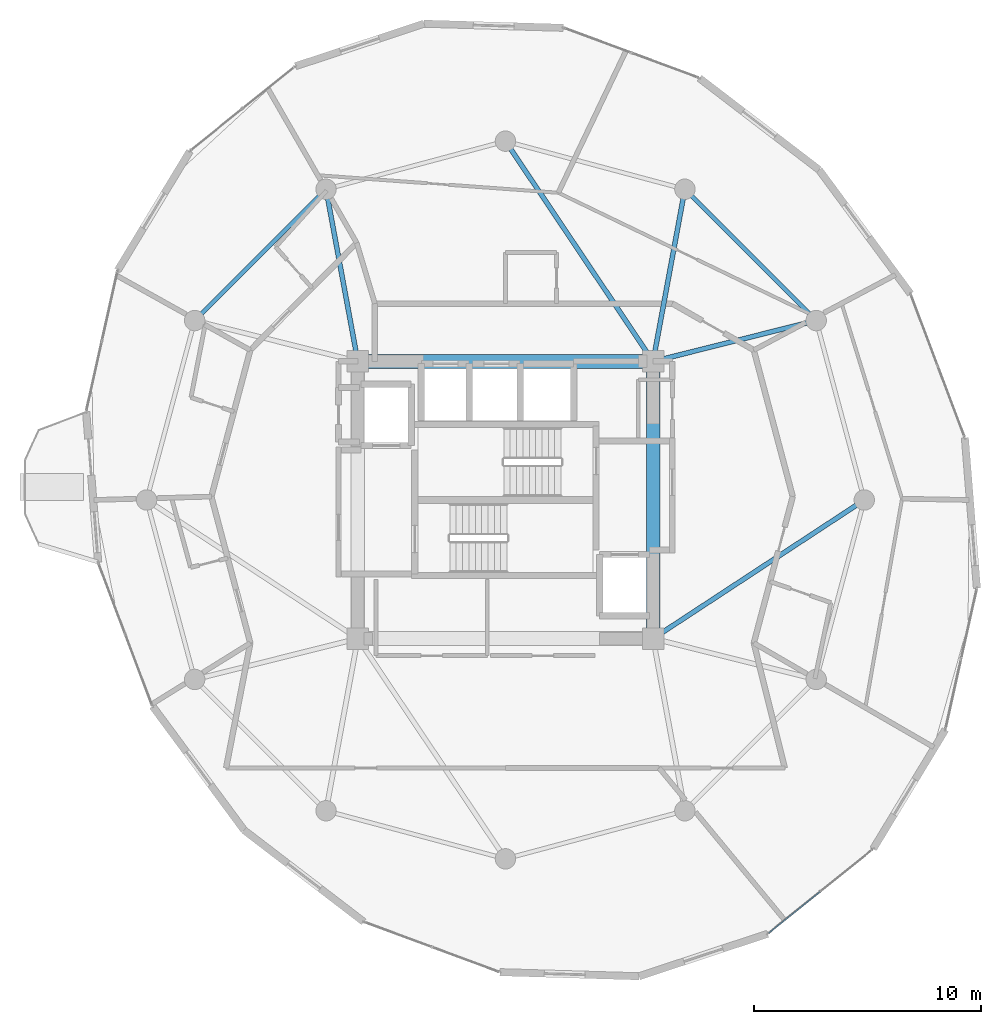
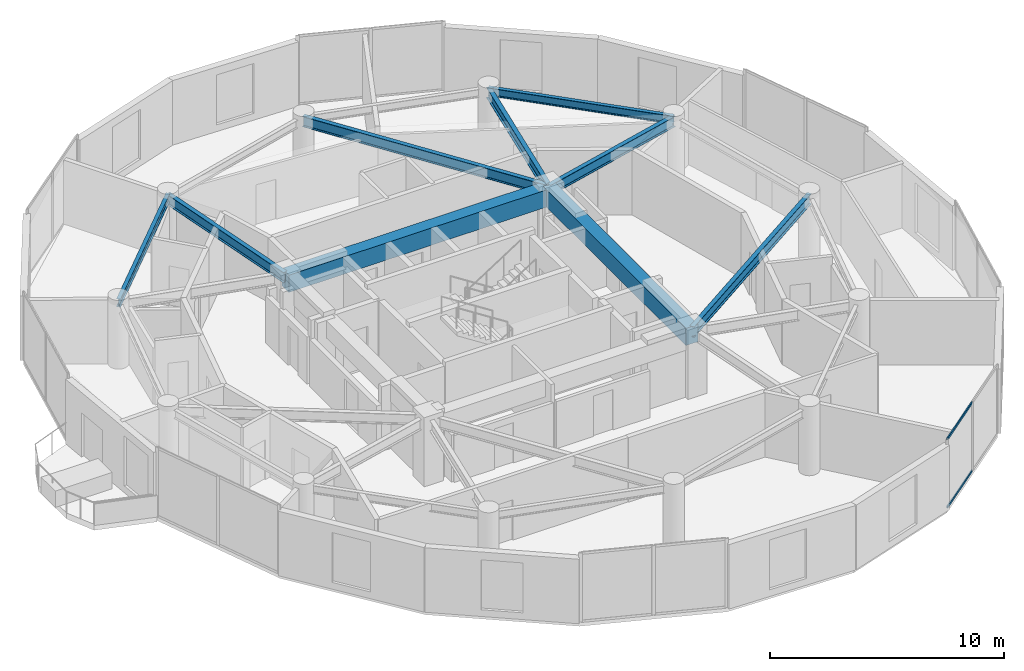
# One storey, part 9 of 20: 9 beams, 2 members, 1 element without a shape of its own.
"""IFC4 building model written with IfcOpenShell, lengths in metres."""

from ifc_helpers import new_model, si_unit, direction, frame, origin, origin_2d, place, context, subcontext, project, spatial, rectangle, hollow_rectangle, i_section, extrude, source, transform, mapped, material, layer, layer_set, material_profile, profile_set, type_object, element, aggregate, save


model = new_model("IFC4")

# Units and contexts
model_context = context("Model", 3, precision=1e-05, world=origin(), true_north=direction((0.0, 1.0)))
body_context = subcontext(model_context, "Body", "Model", "MODEL_VIEW")
ifc_project = project(units=[si_unit("LENGTHUNIT", "METRE"), si_unit("AREAUNIT", "SQUARE_METRE"), si_unit("VOLUMEUNIT", "CUBIC_METRE"), si_unit("PLANEANGLEUNIT", "RADIAN"), si_unit("MASSUNIT", "GRAM", prefix="KILO")], contexts=[model_context])

# Site, building, storey
site_placement = place(None, origin())
site = spatial("IfcSite", under=ifc_project, at=site_placement, CompositionType="ELEMENT")
building_placement = place(site_placement, origin())
building = spatial("IfcBuilding", under=site, at=building_placement, Name="Solvirekh Grand Hotel", CompositionType="ELEMENT")
storey_placement = place(building_placement, frame((0.0, 0.0, 194.800048828125)))
storey = spatial("IfcBuildingStorey", under=building, at=storey_placement, Name="L50", CompositionType="ELEMENT", Elevation=194.800048828125)

# Beams
ifc_material_1 = material(Name="Concrete C50/60", Category="concrete")
ifc_material_profile_1 = material_profile(ifc_material_1, rectangle(XDim=0.60009765625, YDim=0.89990234375, at=origin_2d()), Name="RC BEAM 600X900")
ifc_profile_set_1 = profile_set([ifc_material_profile_1], Name="Concrete C50/60")
beam_type_1 = type_object("IfcBeamType", Name="Beam_Core_RC900", PredefinedType="BEAM", material=ifc_profile_set_1)
beam_1_placement = place(storey_placement, frame((6.5, -6.10009765625, 2.909912109375), z_axis=(0.0, 1.0, 0.0), x_axis=(-1.0, 0.0, 0.0)))
element("IfcBeam", 1, at=beam_1_placement, inside=storey, type_object=beam_type_1, Name="L50 core coupling ring beam 2", PredefinedType="BEAM", context=body_context, shape_type="SweptSolid", body=[
    extrude(rectangle(XDim=0.60009765625, YDim=0.89990234375, at=origin_2d()), origin(), (0.0, 0.0, 1.0), 12.2001953125),
])
beam_2_placement = place(storey_placement, frame((6.5, 6.10009765625, 2.909912109375), z_axis=(-1.0, 0.0, 0.0), x_axis=(0.0, -1.0, 0.0)))
element("IfcBeam", 2, at=beam_2_placement, inside=storey, type_object=beam_type_1, Name="L50 core coupling ring beam 3", PredefinedType="BEAM", context=body_context, shape_type="SweptSolid", body=[
    extrude(rectangle(XDim=0.60009765625, YDim=0.89990234375, at=origin_2d()), origin(), (0.0, 0.0, 1.0), 13.0),
])
ifc_material_2 = material(Name="Steel S355", Category="steel")
ifc_material_profile_2 = material_profile(ifc_material_2, i_section(OverallWidth=0.2119140625, OverallDepth=0.5439453125, WebThickness=0.011962890625, FlangeThickness=0.01904296875, FilletRadius=0.013916015625, at=origin_2d()), Name="W530X123")
ifc_profile_set_2 = profile_set([ifc_material_profile_2], Name="Steel S355")
beam_type_2 = type_object("IfcBeamType", Name="Beam_Radial_W530H", PredefinedType="BEAM", material=ifc_profile_set_2)
beam_3_placement = place(storey_placement, frame((6.5, -6.10009765625, 3.087890625), z_axis=(0.836174064962, 0.548464158432, 0.0), x_axis=(-0.548464158432, 0.836174064962, 0.0)))
element("IfcBeam", 3, at=beam_3_placement, inside=storey, type_object=beam_type_2, Name="L50 radial floor beam R01", PredefinedType="BEAM", context=body_context, shape_type="SweptSolid", body=[
    extrude(i_section(OverallWidth=0.2119140625, OverallDepth=0.5439453125, WebThickness=0.011962890625, FlangeThickness=0.01904296875, FilletRadius=0.013916015625, at=origin_2d()), origin(), (0.0, 0.0, 1.0), 11.1220703125),
])
beam_4_placement = place(storey_placement, frame((6.5, 6.10009765625, 3.087890625), z_axis=(0.970014367692, 0.243047580675, 0.0), x_axis=(-0.243047580675, 0.970014367692, 0.0)))
element("IfcBeam", 4, at=beam_4_placement, inside=storey, type_object=beam_type_2, Name="L50 radial floor beam R02", PredefinedType="BEAM", context=body_context, shape_type="SweptSolid", body=[
    extrude(i_section(OverallWidth=0.2119140625, OverallDepth=0.5439453125, WebThickness=0.011962890625, FlangeThickness=0.01904296875, FilletRadius=0.013916015625, at=origin_2d()), origin(), (0.0, 0.0, 1.0), 7.4052734375),
])
beam_5_placement = place(storey_placement, frame((6.5, 6.10009765625, 3.087890625), z_axis=(0.181542769111, 0.983383049978, 0.0), x_axis=(-0.983383049978, 0.181542769111, 0.0)))
element("IfcBeam", 5, at=beam_5_placement, inside=storey, type_object=beam_type_2, Name="L50 radial floor beam R03", PredefinedType="BEAM", context=body_context, shape_type="SweptSolid", body=[
    extrude(i_section(OverallWidth=0.2119140625, OverallDepth=0.5439453125, WebThickness=0.011962890625, FlangeThickness=0.01904296875, FilletRadius=0.013916015625, at=origin_2d()), origin(), (0.0, 0.0, 1.0), 7.711181640625),
])
beam_6_placement = place(storey_placement, frame((6.5, 6.10009765625, 3.087890625), z_axis=(-0.556676926176, 0.830729077295, 0.0), x_axis=(-0.830729077295, -0.556676926176, 0.0)))
element("IfcBeam", 6, at=beam_6_placement, inside=storey, type_object=beam_type_2, Name="L50 radial floor beam R04", PredefinedType="BEAM", context=body_context, shape_type="SweptSolid", body=[
    extrude(i_section(OverallWidth=0.2119140625, OverallDepth=0.5439453125, WebThickness=0.011962890625, FlangeThickness=0.01904296875, FilletRadius=0.013916015625, at=origin_2d()), origin(), (0.0, 0.0, 1.0), 11.676513671875),
])
beam_7_placement = place(storey_placement, frame((-6.5, 6.10009765625, 3.087890625), z_axis=(-0.181542769111, 0.983383049978, 0.0), x_axis=(-0.983383049978, -0.181542769111, 0.0)))
element("IfcBeam", 7, at=beam_7_placement, inside=storey, type_object=beam_type_2, Name="L50 radial floor beam R05", PredefinedType="BEAM", context=body_context, shape_type="SweptSolid", body=[
    extrude(i_section(OverallWidth=0.2119140625, OverallDepth=0.5439453125, WebThickness=0.011962890625, FlangeThickness=0.01904296875, FilletRadius=0.013916015625, at=origin_2d()), origin(), (0.0, 0.0, 1.0), 7.711181640625),
])
ifc_material_profile_3 = material_profile(ifc_material_2, i_section(OverallWidth=0.180908203125, OverallDepth=0.4169921875, WebThickness=0.010009765625, FlangeThickness=0.01611328125, FilletRadius=0.011962890625, at=origin_2d()), Name="W410X85")
ifc_profile_set_3 = profile_set([ifc_material_profile_3], Name="Steel S355")
beam_type_3 = type_object("IfcBeamType", Name="Spandrel_Ring_W410", PredefinedType="SPANDREL", material=ifc_profile_set_3)
for number, where, z_axis, x_axis, name in (
    (8, (13.68310546875, 7.89990234375, 3.15185546875), (-0.707106781187, 0.707106781187, 0.0), (-0.707106781187, -0.707106781187, 0.0), "L50 perimeter spandrel beam 2"),
    (9, (-7.89990234375, 13.68310546875, 3.15185546875), (-0.707106781187, -0.707106781187, 0.0), (0.707106781187, -0.707106781187, 0.0), "L50 perimeter spandrel beam 5"),
):
    element("IfcBeam", number, at=place(storey_placement, frame(where, z_axis=z_axis, x_axis=x_axis)), inside=storey, type_object=beam_type_3, Name=name, PredefinedType="SPANDREL", context=body_context, shape_type="SweptSolid", body=[
        extrude(i_section(OverallWidth=0.180908203125, OverallDepth=0.4169921875, WebThickness=0.010009765625, FlangeThickness=0.01611328125, FilletRadius=0.011962890625, at=origin_2d()), origin(), (0.0, 0.0, 1.0), 8.1787109375),
    ])

# Curtain wall, members
ifc_material_3 = material(Name="Anodized Bronze Aluminium 6063-T6", Category="aluminium")
ifc_layer = layer(ifc_material_3, 0.159912109375)
ifc_layer_set = layer_set([ifc_layer], Name="Anodized Bronze Aluminium 6063-T6")
curtain_wall_type = type_object("IfcCurtainWallType", Name="CW_Sys4_HighZoneFlushBronzeCW", PredefinedType="NOTDEFINED", material=ifc_layer_set)
curtain_wall_placement = place(storey_placement, origin())
curtain_wall = element("IfcCurtainWall", 10, at=curtain_wall_placement, inside=storey, type_object=curtain_wall_type, Name="L50 unitised bronze-glass curtain wall CW-L50-C01", PredefinedType="NOTDEFINED")
ifc_material_profile_4 = material_profile(ifc_material_3, hollow_rectangle(XDim=0.054931640625, YDim=0.1201171875, WallThickness=0.00390625, at=origin_2d()), Name="ALU RHS 120X55X4")
ifc_profile_set_4 = profile_set([ifc_material_profile_4], Name="Anodized Bronze Aluminium 6063-T6")
member_type = type_object("IfcMemberType", Name="CWTransom_Sys4", PredefinedType="USERDEFINED", material=ifc_profile_set_4)
shared_shape = source(origin(), body_context, "Body", "SweptSolid", [
    extrude(hollow_rectangle(XDim=0.054931640625, YDim=0.1201171875, WallThickness=0.00390625, at=origin_2d()), origin(), (0.0, 0.0, 1.0), 2.8935546875),
])
member_1_placement = place(storey_placement, frame((11.5947265625, -19.0654296875, 0.02734375), z_axis=(0.778914176944, 0.627130532629, 0.0), x_axis=(-0.627130532629, 0.778914176944, 0.0)))
member_1 = element("IfcMember", 11, at=member_1_placement, type_object=member_type, Name="U04 transom 1.1", ObjectType="TRANSOM", PredefinedType="USERDEFINED", context=body_context, shape_type="MappedRepresentation", body=[
    mapped(shared_shape, transform((0.0, 0.0, 0.0), x_axis=(1.0, 0.0, 0.0), y_axis=(0.0, 1.0, 0.0), z_axis=(0.0, 0.0, 1.0), scale=1.0)),
])
member_2_placement = place(storey_placement, frame((11.5947265625, -19.0654296875, 3.572509765625), z_axis=(0.778914176944, 0.627130532629, 0.0), x_axis=(-0.627130532629, 0.778914176944, 0.0)))
member_2 = element("IfcMember", 12, at=member_2_placement, type_object=member_type, Name="U04 transom 1.2", ObjectType="TRANSOM", PredefinedType="USERDEFINED", context=body_context, shape_type="MappedRepresentation", body=[
    mapped(shared_shape, transform((0.0, 0.0, 0.0), x_axis=(1.0, 0.0, 0.0), y_axis=(0.0, 1.0, 0.0), z_axis=(0.0, 0.0, 1.0), scale=1.0)),
])
aggregate(curtain_wall, [member_1, member_2])

save(model, "model.ifc")
